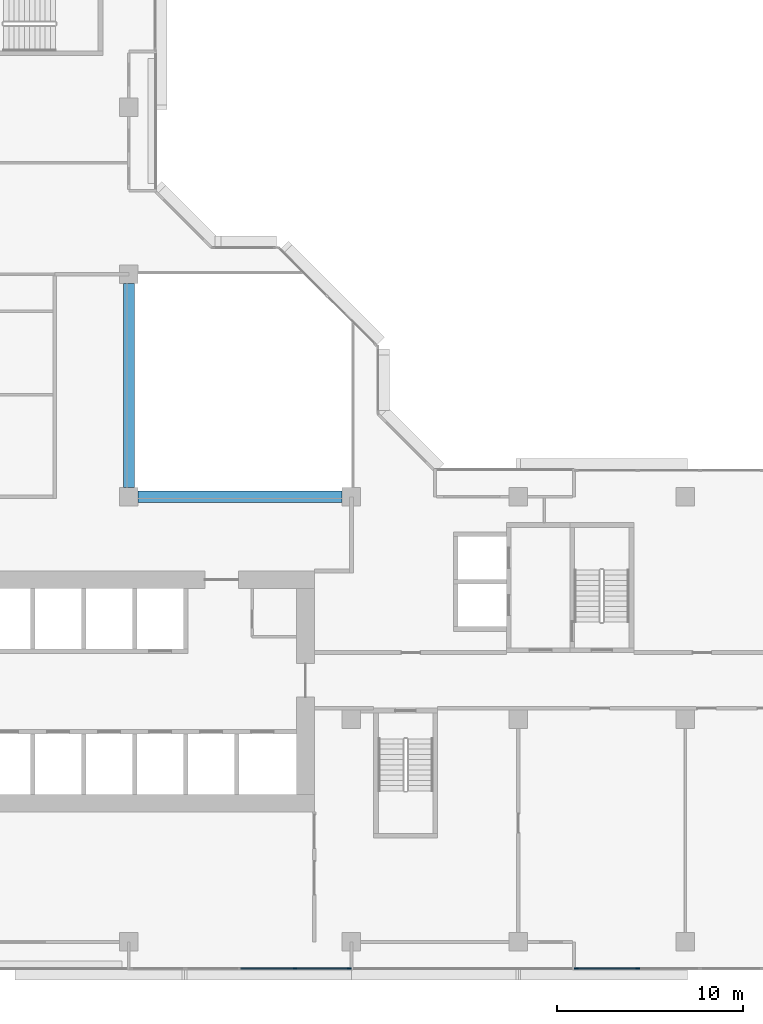
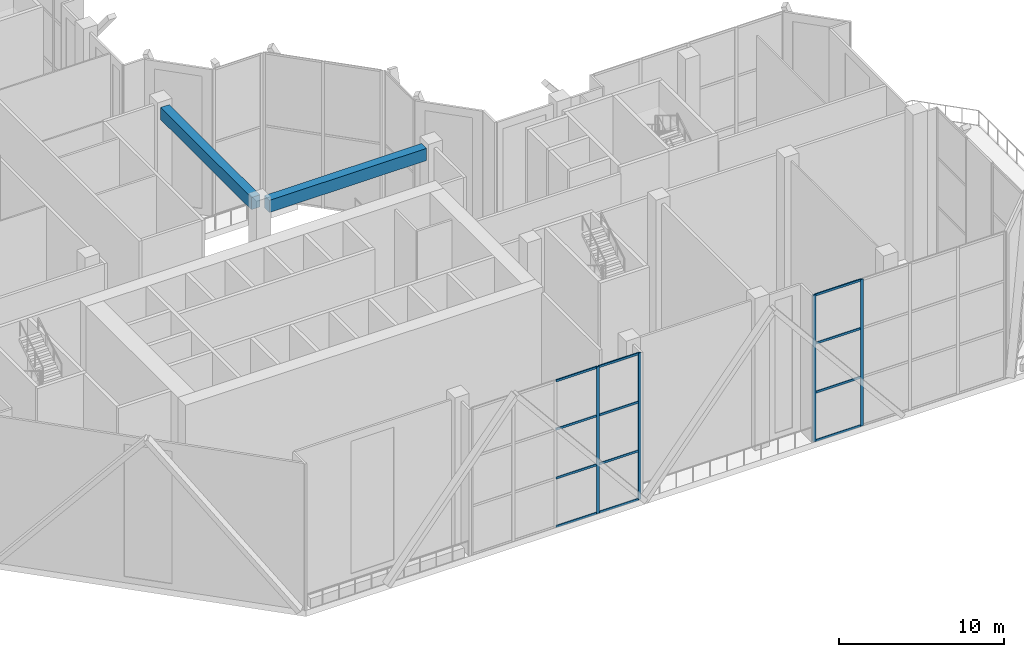
# One storey, part 3 of 21: 16 members, 2 beams, 2 elements without a shape of their own.
"""IFC4 building model written with IfcOpenShell, lengths in metres."""

import ifcopenshell
import ifcopenshell.guid

model = None  # the IFC model being written
_history = None  # IfcOwnerHistory: only IFC2X3 demands one
_inside = {}  # id of a spatial element -> (the spatial element, [elements in it])
_under = {}  # id of a project, library or spatial element -> (it, [spatial elements below it])
_declared = {}  # id of a project -> (the project, [libraries it declares])
_typed = {}  # id of a type object -> (the type object, [elements of that type])
_made_of = {}  # id of a material, layer set ... -> (it, [elements and type objects made of it])


def new_model(schema):
    """Start an empty IFC model of exactly this schema.

    Asked for "IFC4X3", IfcOpenShell would pick the latest addendum, in which some entities
    have other attributes; the version numbers below select the first issue.
    IFC2X3 requires an IfcOwnerHistory on every rooted entity: one is made here for all.
    """
    global model, _history
    if schema == "IFC4X3":
        model = ifcopenshell.file(schema_version=(4, 3, 0, 0))
    else:
        model = ifcopenshell.file(schema=schema)
    _inside.clear()
    _under.clear()
    _declared.clear()
    _typed.clear()
    _made_of.clear()
    _history = None
    if model.schema == "IFC2X3":
        org = make("IfcOrganization", Name="unknown")
        user = make(
            "IfcPersonAndOrganization",
            ThePerson=make("IfcPerson", FamilyName="unknown"),
            TheOrganization=org,
        )
        app = make(
            "IfcApplication",
            ApplicationDeveloper=org,
            Version="unknown",
            ApplicationFullName="unknown",
            ApplicationIdentifier="unknown",
        )
        _history = make(
            "IfcOwnerHistory",
            OwningUser=user,
            OwningApplication=app,
            ChangeAction="ADDED",
            CreationDate=0,
        )
    return model


def make(cls, **values):
    """One entity of the class cls with the attributes given. An attribute that is None is left unset."""
    return model.create_entity(
        cls, **{name: value for name, value in values.items() if value is not None}
    )


def rooted(cls, **values):
    """An entity with a GlobalId (a new one), such as an element, a storey or a relation."""
    return make(cls, GlobalId=ifcopenshell.guid.new(), OwnerHistory=_history, **values)


def si_unit(unit_type, name, prefix=None):
    """IfcSIUnit, for example si_unit("LENGTHUNIT", "METRE", prefix="MILLI")."""
    return make("IfcSIUnit", UnitType=unit_type, Prefix=prefix, Name=name)


def assignment(units):
    """IfcUnitAssignment: the units of a project."""
    return None if units is None else make("IfcUnitAssignment", Units=units)


def point(xyz):
    """IfcCartesianPoint."""
    return None if xyz is None else make("IfcCartesianPoint", Coordinates=xyz)


def direction(xyz):
    """IfcDirection."""
    return None if xyz is None else make("IfcDirection", DirectionRatios=xyz)


def frame(location, z_axis=None, x_axis=None):
    """IfcAxis2Placement3D, a coordinate frame: its origin and axes. An axis left out is left unset."""
    return make(
        "IfcAxis2Placement3D",
        Location=point(location),
        Axis=direction(z_axis),
        RefDirection=direction(x_axis),
    )


def frame_2d(location, x_axis=None):
    """IfcAxis2Placement2D, a coordinate frame in the plane: its origin and x axis."""
    return make(
        "IfcAxis2Placement2D", Location=point(location), RefDirection=direction(x_axis)
    )


def origin():
    """The frame at (0, 0, 0) with its axes left unset."""
    return frame((0.0, 0.0, 0.0))


def origin_2d():
    """The frame at (0, 0) in the plane with its x axis left unset."""
    return frame_2d((0.0, 0.0))


def place(relative_to, where):
    """IfcLocalPlacement: puts the frame where relative to a parent placement (None: the world)."""
    return make(
        "IfcLocalPlacement", PlacementRelTo=relative_to, RelativePlacement=where
    )


def context(
    kind, dimensions, precision=None, world=None, true_north=None, identifier=None
):
    """IfcGeometricRepresentationContext, for example the 3D "Model" context."""
    return make(
        "IfcGeometricRepresentationContext",
        ContextIdentifier=identifier,
        ContextType=kind,
        CoordinateSpaceDimension=dimensions,
        Precision=precision,
        WorldCoordinateSystem=world,
        TrueNorth=true_north,
    )


def subcontext(parent, identifier, kind, view, scale=None):
    """IfcGeometricRepresentationSubContext, for example "Body" below "Model"."""
    return make(
        "IfcGeometricRepresentationSubContext",
        ContextIdentifier=identifier,
        ContextType=kind,
        ParentContext=parent,
        TargetScale=scale,
        TargetView=view,
    )


def project(units=None, contexts=None):
    """IfcProject with its units and contexts."""
    return rooted(
        "IfcProject",
        Name="project",
        RepresentationContexts=contexts,
        UnitsInContext=assignment(units),
    )


def spatial(cls, under=None, at=None, **own):
    """A site, building, storey or space (cls), placed at a placement, below another one or the project."""
    s = rooted(cls, ObjectPlacement=at, **own)
    if under is not None:
        _under.setdefault(under.id(), (under, []))[1].append(s)
    return s


def profile(cls, at=None, kind="AREA", **sizes):
    """A parametric profile (cls). Its sizes go by their IFC names, for example OverallWidth=200.0."""
    return make(cls, ProfileType=kind, Position=at, **sizes)


def rectangle(**sizes):
    """IfcRectangleProfileDef."""
    return profile("IfcRectangleProfileDef", **sizes)


def extrude(swept, where, along, depth):
    """IfcExtrudedAreaSolid: the profile swept, set in the frame where, extruded along a direction by depth."""
    return make(
        "IfcExtrudedAreaSolid",
        SweptArea=swept,
        Position=where,
        ExtrudedDirection=direction(along),
        Depth=depth,
    )


def shape(context_of_items, identifier, shape_type, items):
    """IfcShapeRepresentation: the items that make up one representation, for example the "Body"."""
    return make(
        "IfcShapeRepresentation",
        ContextOfItems=context_of_items,
        RepresentationIdentifier=identifier,
        RepresentationType=shape_type,
        Items=items,
    )


def material(Name=None, Category=None):
    """IfcMaterial."""
    return make("IfcMaterial", Name=Name, Category=Category)


def layer(
    of_material, thickness, ventilated=None, Name=None, Category=None, Priority=None
):
    """IfcMaterialLayer: one layer of a wall or slab, of a material (None: an air gap)."""
    return make(
        "IfcMaterialLayer",
        Material=of_material,
        LayerThickness=thickness,
        IsVentilated=ventilated,
        Name=Name,
        Category=Category,
        Priority=Priority,
    )


def layer_set(layers, Name=None):
    """IfcMaterialLayerSet."""
    return make("IfcMaterialLayerSet", MaterialLayers=layers, LayerSetName=Name)


def material_profile(
    of_material, cross_section, Name=None, Category=None, Priority=None
):
    """IfcMaterialProfile: a cross section and its material."""
    return make(
        "IfcMaterialProfile",
        Name=Name,
        Material=of_material,
        Profile=cross_section,
        Priority=Priority,
        Category=Category,
    )


def profile_set(profiles, Name=None, composite=None):
    """IfcMaterialProfileSet."""
    return make(
        "IfcMaterialProfileSet",
        Name=Name,
        MaterialProfiles=profiles,
        CompositeProfile=composite,
    )


def made_of(thing, what):
    """Note that an element or type object is made of a material, layer set ...; save() writes the relation."""
    if what is not None:
        _made_of.setdefault(what.id(), (what, []))[1].append(thing)
    return thing


def type_object(cls, material=None, **own):
    """A type object (cls), such as IfcWallType, which elements share."""
    return made_of(rooted(cls, **own), material)


def element(
    cls,
    number,
    at=None,
    inside=None,
    cuts=None,
    type_object=None,
    material=None,
    context=None,
    identifier="Body",
    shape_type=None,
    held_by="IfcProductDefinitionShape",
    body=None,
    shapes=None,
    **own,
):
    """One element of the class cls, such as IfcWall. Its Tag is "e" and its number.

    at: its placement. inside: the storey or other place that contains it. cuts: it is an
    opening in that element (IfcRelVoidsElement). A single representation is given by context,
    identifier, shape_type and body (its items); several are given by shapes. held_by: the class
    of the entity that holds the representations. save() writes the other relations.
    """
    e = rooted(cls, Tag="e%d" % number, ObjectPlacement=at, **own)
    if body is not None:
        shapes = [shape(context, identifier, shape_type, body)]
    if shapes is not None:
        e.Representation = make(held_by, Representations=shapes)
    if inside is not None:
        _inside.setdefault(inside.id(), (inside, []))[1].append(e)
    if cuts is not None:
        rooted(
            "IfcRelVoidsElement", RelatingBuildingElement=cuts, RelatedOpeningElement=e
        )
    if type_object is not None:
        _typed.setdefault(type_object.id(), (type_object, []))[1].append(e)
    return made_of(e, material)


def aggregate(whole, parts):
    """IfcRelAggregates: a whole, such as a stair, and the parts it consists of."""
    return rooted("IfcRelAggregates", RelatingObject=whole, RelatedObjects=parts)


def save(model, path):
    """Write the relations noted so far, then the file.

    IfcRelAggregates (storeys below a building ...), IfcRelContainedInSpatialStructure (elements
    in a storey), IfcRelDefinesByType, IfcRelAssociatesMaterial and IfcRelDeclares: one each for
    every whole, place, type object, material and project.
    """
    for whole, parts in _under.values():
        aggregate(whole, parts)
    for where, things in _inside.values():
        rooted(
            "IfcRelContainedInSpatialStructure",
            RelatedElements=things,
            RelatingStructure=where,
        )
    for kind, things in _typed.values():
        rooted("IfcRelDefinesByType", RelatedObjects=things, RelatingType=kind)
    for what, things in _made_of.values():
        rooted("IfcRelAssociatesMaterial", RelatedObjects=things, RelatingMaterial=what)
    for by, libraries in _declared.values():
        rooted("IfcRelDeclares", RelatingContext=by, RelatedDefinitions=libraries)
    model.write(path)


model = new_model("IFC4")

# Units and contexts
model_context = context("Model", 3, precision=1e-05, world=origin(), true_north=direction((0.0, 1.0)))
body_context = subcontext(model_context, "Body", "Model", "MODEL_VIEW")
ifc_project = project(units=[si_unit("LENGTHUNIT", "METRE"), si_unit("AREAUNIT", "SQUARE_METRE"), si_unit("VOLUMEUNIT", "CUBIC_METRE"), si_unit("PLANEANGLEUNIT", "RADIAN"), si_unit("MASSUNIT", "GRAM", prefix="KILO")], contexts=[model_context])

# Site, building, storey
site_placement = place(None, origin())
site = spatial("IfcSite", under=ifc_project, at=site_placement, CompositionType="ELEMENT")
building_placement = place(site_placement, origin())
building = spatial("IfcBuilding", under=site, at=building_placement, Name="Chenar Terraces", CompositionType="ELEMENT")
storey_placement = place(building_placement, frame((0.0, 0.0, 146.14990234375)))
storey = spatial("IfcBuildingStorey", under=building, at=storey_placement, Name="L34", CompositionType="ELEMENT", Elevation=146.14990234375)

# Beams
ifc_material_1 = material(Name="Concrete C40/50", Category="concrete")
ifc_material_profile_1 = material_profile(ifc_material_1, rectangle(XDim=0.60009765625, YDim=0.89990234375, at=origin_2d()), Name="RC 600 x 900")
ifc_profile_set_1 = profile_set([ifc_material_profile_1], Name="Concrete C40/50")
beam_type = type_object("IfcBeamType", Name="Atrium edge beam 600 x 900 Concrete C40/50", PredefinedType="BEAM", material=ifc_profile_set_1)
for number, where, z_axis, x_axis, name in (
    (1, (24.5, 24.0, 10.400146484375), (1.0, 0.0, 0.0), (0.0, 1.0, 0.0), "Atrium edge beam L35 1"),
    (2, (24.0, 35.5, 10.400146484375), (0.0, -1.0, 0.0), (1.0, 0.0, 0.0), "Atrium edge beam L35 4"),
):
    element("IfcBeam", number, at=place(storey_placement, frame(where, z_axis=z_axis, x_axis=x_axis)), inside=storey, type_object=beam_type, Name=name, PredefinedType="BEAM", context=body_context, shape_type="SweptSolid", body=[
        extrude(rectangle(XDim=0.60009765625, YDim=0.89990234375, at=origin_2d()), origin(), (0.0, 0.0, 1.0), 11.0),
    ])

# Curtain wall, members
ifc_material_2 = material(Name="Aluminium framed glazing", Category="aluminium")
ifc_layer = layer(ifc_material_2, 0.14990234375)
ifc_layer_set = layer_set([ifc_layer], Name="Aluminium framed glazing")
curtain_wall_type = type_object("IfcCurtainWallType", Name="Sky garden curtain wall", PredefinedType="NOTDEFINED", material=ifc_layer_set)
placement = place(storey_placement, origin())
curtain_wall_1 = element("IfcCurtainWall", 3, at=placement, inside=storey, type_object=curtain_wall_type, Name="Sky garden curtain wall", PredefinedType="NOTDEFINED")
ifc_material_3 = material(Name="Aluminium", Category="aluminium")
ifc_material_profile_2 = material_profile(ifc_material_3, rectangle(XDim=0.080078125, YDim=0.199951171875, at=origin_2d()), Name="Sky garden mullion 80 x 200")
ifc_profile_set_2 = profile_set([ifc_material_profile_2], Name="Aluminium")
member_type_1 = type_object("IfcMemberType", Name="Sky garden mullion 80 x 200", PredefinedType="MULLION", material=ifc_profile_set_2)
member_1_placement = place(storey_placement, frame((32.96240234375, -1.425048828125, 0.0), z_axis=(0.0, 0.0, 1.0), x_axis=(0.0, 1.0, 0.0)))
member_1 = element("IfcMember", 4, at=member_1_placement, type_object=member_type_1, Name="CW3-06 mullion 4", PredefinedType="MULLION", context=body_context, shape_type="SweptSolid", body=[
    extrude(rectangle(XDim=0.080078125, YDim=0.199951171875, at=origin_2d()), origin(), (0.0, 0.0, 1.0), 10.85009765625),
])
member_2_placement = place(storey_placement, frame((35.885009765625, -1.425048828125, 0.0), z_axis=(0.0, 0.0, 1.0), x_axis=(0.0, 1.0, 0.0)))
member_2 = element("IfcMember", 5, at=member_2_placement, type_object=member_type_1, Name="CW3-06 mullion 5", PredefinedType="MULLION", context=body_context, shape_type="SweptSolid", body=[
    extrude(rectangle(XDim=0.080078125, YDim=0.199951171875, at=origin_2d()), origin(), (0.0, 0.0, 1.0), 10.85009765625),
])

curtain_wall_2 = element("IfcCurtainWall", 6, at=placement, inside=storey, type_object=curtain_wall_type, Name="Sky garden curtain wall", PredefinedType="NOTDEFINED")
member_3_placement = place(storey_placement, frame((48.114990234375, -1.425048828125, 0.0), z_axis=(0.0, 0.0, 1.0), x_axis=(0.0, 1.0, 0.0)))
member_3 = element("IfcMember", 7, at=member_3_placement, type_object=member_type_1, Name="CW3-07 mullion 1", PredefinedType="MULLION", context=body_context, shape_type="SweptSolid", body=[
    extrude(rectangle(XDim=0.080078125, YDim=0.199951171875, at=origin_2d()), origin(), (0.0, 0.0, 1.0), 10.85009765625),
])
member_4_placement = place(storey_placement, frame((51.43115234375, -1.425048828125, 0.0), z_axis=(0.0, 0.0, 1.0), x_axis=(0.0, 1.0, 0.0)))
member_4 = element("IfcMember", 8, at=member_4_placement, type_object=member_type_1, Name="CW3-07 mullion 2", PredefinedType="MULLION", context=body_context, shape_type="SweptSolid", body=[
    extrude(rectangle(XDim=0.080078125, YDim=0.199951171875, at=origin_2d()), origin(), (0.0, 0.0, 1.0), 10.85009765625),
])

# Member
ifc_material_4 = material(Name="Aluminium", Category="aluminium")
ifc_material_profile_3 = material_profile(ifc_material_4, rectangle(XDim=0.080078125, YDim=0.159912109375, at=origin_2d()), Name="Sky garden transom 80 x 160")
ifc_profile_set_3 = profile_set([ifc_material_profile_3], Name="Aluminium")
member_type_2 = type_object("IfcMemberType", Name="Sky garden transom 80 x 160", PredefinedType="USERDEFINED", material=ifc_profile_set_3)
member_5_placement = place(storey_placement, frame((30.0400390625, -1.425048828125, 0.0400390625), z_axis=(1.0, 0.0, 0.0), x_axis=(0.0, 1.0, 0.0)))
member_5 = element("IfcMember", 9, at=member_5_placement, type_object=member_type_2, Name="CW3-06 transom 3.1", ObjectType="TRANSOM", PredefinedType="USERDEFINED", context=body_context, shape_type="SweptSolid", body=[
    extrude(rectangle(XDim=0.080078125, YDim=0.159912109375, at=origin_2d()), origin(), (0.0, 0.0, 1.0), 2.882568359375),
])

member_6_placement = place(storey_placement, frame((30.0400390625, -1.425048828125, 3.6171875), z_axis=(1.0, 0.0, 0.0), x_axis=(0.0, 1.0, 0.0)))
member_6 = element("IfcMember", 10, at=member_6_placement, type_object=member_type_2, Name="CW3-06 transom 3.2", ObjectType="TRANSOM", PredefinedType="USERDEFINED", context=body_context, shape_type="SweptSolid", body=[
    extrude(rectangle(XDim=0.080078125, YDim=0.159912109375, at=origin_2d()), origin(), (0.0, 0.0, 1.0), 2.882568359375),
])

member_7_placement = place(storey_placement, frame((30.0400390625, -1.425048828125, 7.233154296875), z_axis=(1.0, 0.0, 0.0), x_axis=(0.0, 1.0, 0.0)))
member_7 = element("IfcMember", 11, at=member_7_placement, type_object=member_type_2, Name="CW3-06 transom 3.3", ObjectType="TRANSOM", PredefinedType="USERDEFINED", context=body_context, shape_type="SweptSolid", body=[
    extrude(rectangle(XDim=0.080078125, YDim=0.159912109375, at=origin_2d()), origin(), (0.0, 0.0, 1.0), 2.882568359375),
])

member_8_placement = place(storey_placement, frame((30.0400390625, -1.425048828125, 10.81005859375), z_axis=(1.0, 0.0, 0.0), x_axis=(0.0, 1.0, 0.0)))
member_8 = element("IfcMember", 12, at=member_8_placement, type_object=member_type_2, Name="CW3-06 transom 3.4", ObjectType="TRANSOM", PredefinedType="USERDEFINED", context=body_context, shape_type="SweptSolid", body=[
    extrude(rectangle(XDim=0.080078125, YDim=0.159912109375, at=origin_2d()), origin(), (0.0, 0.0, 1.0), 2.882568359375),
])

member_9_placement = place(storey_placement, frame((33.00244140625, -1.425048828125, 0.0400390625), z_axis=(1.0, 0.0, 0.0), x_axis=(0.0, 1.0, 0.0)))
member_9 = element("IfcMember", 13, at=member_9_placement, type_object=member_type_2, Name="CW3-06 transom 4.1", ObjectType="TRANSOM", PredefinedType="USERDEFINED", context=body_context, shape_type="SweptSolid", body=[
    extrude(rectangle(XDim=0.080078125, YDim=0.159912109375, at=origin_2d()), origin(), (0.0, 0.0, 1.0), 2.842529296875),
])

member_10_placement = place(storey_placement, frame((33.00244140625, -1.425048828125, 3.6171875), z_axis=(1.0, 0.0, 0.0), x_axis=(0.0, 1.0, 0.0)))
member_10 = element("IfcMember", 14, at=member_10_placement, type_object=member_type_2, Name="CW3-06 transom 4.2", ObjectType="TRANSOM", PredefinedType="USERDEFINED", context=body_context, shape_type="SweptSolid", body=[
    extrude(rectangle(XDim=0.080078125, YDim=0.159912109375, at=origin_2d()), origin(), (0.0, 0.0, 1.0), 2.842529296875),
])

member_11_placement = place(storey_placement, frame((33.00244140625, -1.425048828125, 7.233154296875), z_axis=(1.0, 0.0, 0.0), x_axis=(0.0, 1.0, 0.0)))
member_11 = element("IfcMember", 15, at=member_11_placement, type_object=member_type_2, Name="CW3-06 transom 4.3", ObjectType="TRANSOM", PredefinedType="USERDEFINED", context=body_context, shape_type="SweptSolid", body=[
    extrude(rectangle(XDim=0.080078125, YDim=0.159912109375, at=origin_2d()), origin(), (0.0, 0.0, 1.0), 2.842529296875),
])

member_12_placement = place(storey_placement, frame((33.00244140625, -1.425048828125, 10.81005859375), z_axis=(1.0, 0.0, 0.0), x_axis=(0.0, 1.0, 0.0)))
member_12 = element("IfcMember", 16, at=member_12_placement, type_object=member_type_2, Name="CW3-06 transom 4.4", ObjectType="TRANSOM", PredefinedType="USERDEFINED", context=body_context, shape_type="SweptSolid", body=[
    extrude(rectangle(XDim=0.080078125, YDim=0.159912109375, at=origin_2d()), origin(), (0.0, 0.0, 1.0), 2.842529296875),
])

aggregate(curtain_wall_1, [member_1, member_2, member_5, member_6, member_7, member_8, member_9, member_10, member_11, member_12])

member_13_placement = place(storey_placement, frame((48.155029296875, -1.425048828125, 0.0400390625), z_axis=(1.0, 0.0, 0.0), x_axis=(0.0, 1.0, 0.0)))
member_13 = element("IfcMember", 17, at=member_13_placement, type_object=member_type_2, Name="CW3-07 transom 1.1", ObjectType="TRANSOM", PredefinedType="USERDEFINED", context=body_context, shape_type="SweptSolid", body=[
    extrude(rectangle(XDim=0.080078125, YDim=0.159912109375, at=origin_2d()), origin(), (0.0, 0.0, 1.0), 3.236328125),
])

member_14_placement = place(storey_placement, frame((48.155029296875, -1.425048828125, 3.6171875), z_axis=(1.0, 0.0, 0.0), x_axis=(0.0, 1.0, 0.0)))
member_14 = element("IfcMember", 18, at=member_14_placement, type_object=member_type_2, Name="CW3-07 transom 1.2", ObjectType="TRANSOM", PredefinedType="USERDEFINED", context=body_context, shape_type="SweptSolid", body=[
    extrude(rectangle(XDim=0.080078125, YDim=0.159912109375, at=origin_2d()), origin(), (0.0, 0.0, 1.0), 3.236328125),
])

member_15_placement = place(storey_placement, frame((48.155029296875, -1.425048828125, 7.233154296875), z_axis=(1.0, 0.0, 0.0), x_axis=(0.0, 1.0, 0.0)))
member_15 = element("IfcMember", 19, at=member_15_placement, type_object=member_type_2, Name="CW3-07 transom 1.3", ObjectType="TRANSOM", PredefinedType="USERDEFINED", context=body_context, shape_type="SweptSolid", body=[
    extrude(rectangle(XDim=0.080078125, YDim=0.159912109375, at=origin_2d()), origin(), (0.0, 0.0, 1.0), 3.236328125),
])

member_16_placement = place(storey_placement, frame((48.155029296875, -1.425048828125, 10.81005859375), z_axis=(1.0, 0.0, 0.0), x_axis=(0.0, 1.0, 0.0)))
member_16 = element("IfcMember", 20, at=member_16_placement, type_object=member_type_2, Name="CW3-07 transom 1.4", ObjectType="TRANSOM", PredefinedType="USERDEFINED", context=body_context, shape_type="SweptSolid", body=[
    extrude(rectangle(XDim=0.080078125, YDim=0.159912109375, at=origin_2d()), origin(), (0.0, 0.0, 1.0), 3.236328125),
])

aggregate(curtain_wall_2, [member_3, member_4, member_13, member_14, member_15, member_16])

save(model, "model.ifc")
